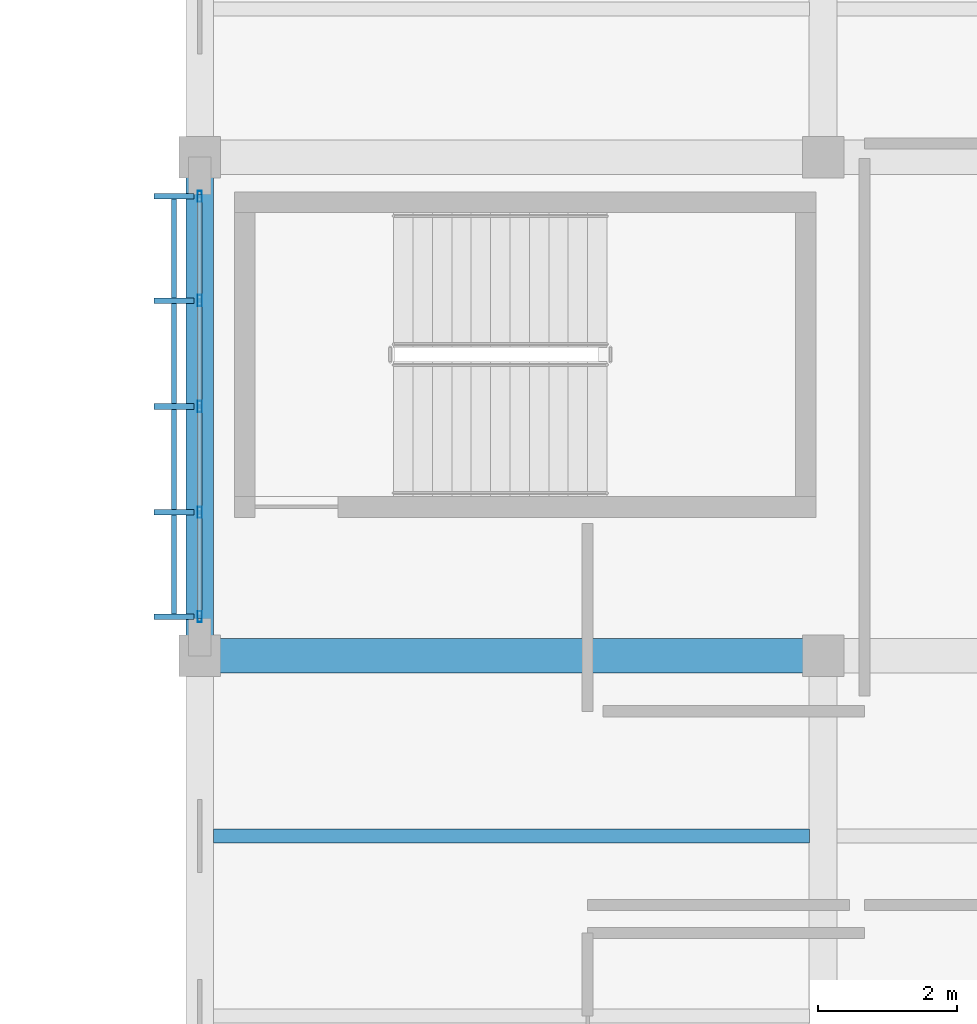
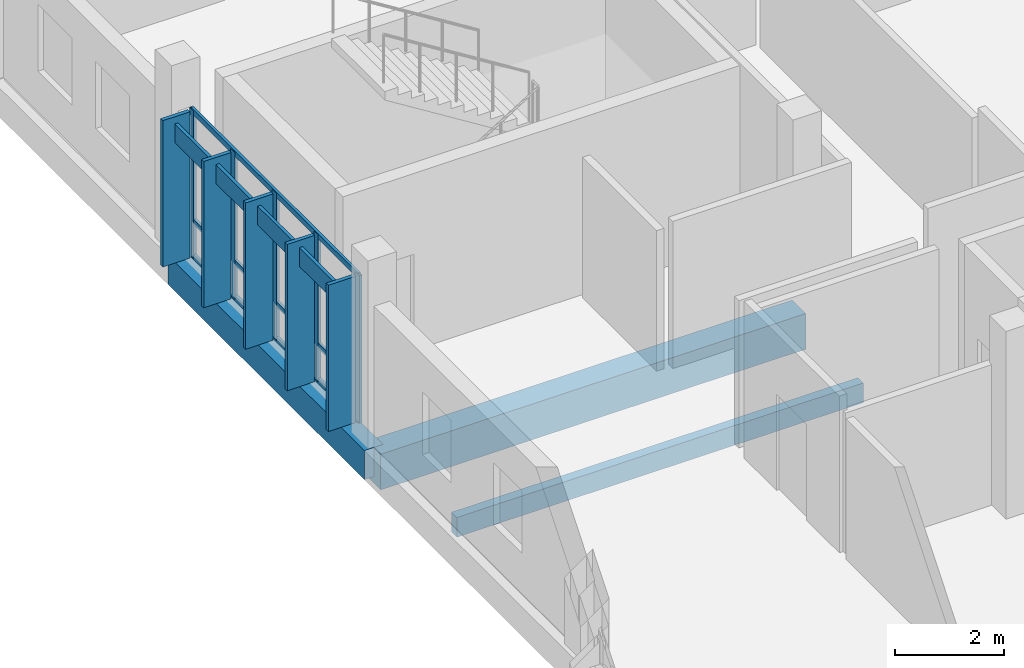
# One storey, part 55 of 107: 14 members, 3 beams, 1 element without a shape of its own.
"""IFC4 building model written with IfcOpenShell, lengths in metres."""

import ifcopenshell
import ifcopenshell.guid

model = None  # the IFC model being written
_history = None  # IfcOwnerHistory: only IFC2X3 demands one
_inside = {}  # id of a spatial element -> (the spatial element, [elements in it])
_under = {}  # id of a project, library or spatial element -> (it, [spatial elements below it])
_declared = {}  # id of a project -> (the project, [libraries it declares])
_typed = {}  # id of a type object -> (the type object, [elements of that type])
_made_of = {}  # id of a material, layer set ... -> (it, [elements and type objects made of it])


def new_model(schema):
    """Start an empty IFC model of exactly this schema.

    Asked for "IFC4X3", IfcOpenShell would pick the latest addendum, in which some entities
    have other attributes; the version numbers below select the first issue.
    IFC2X3 requires an IfcOwnerHistory on every rooted entity: one is made here for all.
    """
    global model, _history
    if schema == "IFC4X3":
        model = ifcopenshell.file(schema_version=(4, 3, 0, 0))
    else:
        model = ifcopenshell.file(schema=schema)
    _inside.clear()
    _under.clear()
    _declared.clear()
    _typed.clear()
    _made_of.clear()
    _history = None
    if model.schema == "IFC2X3":
        org = make("IfcOrganization", Name="unknown")
        user = make(
            "IfcPersonAndOrganization",
            ThePerson=make("IfcPerson", FamilyName="unknown"),
            TheOrganization=org,
        )
        app = make(
            "IfcApplication",
            ApplicationDeveloper=org,
            Version="unknown",
            ApplicationFullName="unknown",
            ApplicationIdentifier="unknown",
        )
        _history = make(
            "IfcOwnerHistory",
            OwningUser=user,
            OwningApplication=app,
            ChangeAction="ADDED",
            CreationDate=0,
        )
    return model


def make(cls, **values):
    """One entity of the class cls with the attributes given. An attribute that is None is left unset."""
    return model.create_entity(
        cls, **{name: value for name, value in values.items() if value is not None}
    )


def rooted(cls, **values):
    """An entity with a GlobalId (a new one), such as an element, a storey or a relation."""
    return make(cls, GlobalId=ifcopenshell.guid.new(), OwnerHistory=_history, **values)


def si_unit(unit_type, name, prefix=None):
    """IfcSIUnit, for example si_unit("LENGTHUNIT", "METRE", prefix="MILLI")."""
    return make("IfcSIUnit", UnitType=unit_type, Prefix=prefix, Name=name)


def assignment(units):
    """IfcUnitAssignment: the units of a project."""
    return None if units is None else make("IfcUnitAssignment", Units=units)


def point(xyz):
    """IfcCartesianPoint."""
    return None if xyz is None else make("IfcCartesianPoint", Coordinates=xyz)


def direction(xyz):
    """IfcDirection."""
    return None if xyz is None else make("IfcDirection", DirectionRatios=xyz)


def frame(location, z_axis=None, x_axis=None):
    """IfcAxis2Placement3D, a coordinate frame: its origin and axes. An axis left out is left unset."""
    return make(
        "IfcAxis2Placement3D",
        Location=point(location),
        Axis=direction(z_axis),
        RefDirection=direction(x_axis),
    )


def frame_2d(location, x_axis=None):
    """IfcAxis2Placement2D, a coordinate frame in the plane: its origin and x axis."""
    return make(
        "IfcAxis2Placement2D", Location=point(location), RefDirection=direction(x_axis)
    )


def origin():
    """The frame at (0, 0, 0) with its axes left unset."""
    return frame((0.0, 0.0, 0.0))


def origin_2d():
    """The frame at (0, 0) in the plane with its x axis left unset."""
    return frame_2d((0.0, 0.0))


def place(relative_to, where):
    """IfcLocalPlacement: puts the frame where relative to a parent placement (None: the world)."""
    return make(
        "IfcLocalPlacement", PlacementRelTo=relative_to, RelativePlacement=where
    )


def context(
    kind, dimensions, precision=None, world=None, true_north=None, identifier=None
):
    """IfcGeometricRepresentationContext, for example the 3D "Model" context."""
    return make(
        "IfcGeometricRepresentationContext",
        ContextIdentifier=identifier,
        ContextType=kind,
        CoordinateSpaceDimension=dimensions,
        Precision=precision,
        WorldCoordinateSystem=world,
        TrueNorth=true_north,
    )


def subcontext(parent, identifier, kind, view, scale=None):
    """IfcGeometricRepresentationSubContext, for example "Body" below "Model"."""
    return make(
        "IfcGeometricRepresentationSubContext",
        ContextIdentifier=identifier,
        ContextType=kind,
        ParentContext=parent,
        TargetScale=scale,
        TargetView=view,
    )


def project(units=None, contexts=None):
    """IfcProject with its units and contexts."""
    return rooted(
        "IfcProject",
        Name="project",
        RepresentationContexts=contexts,
        UnitsInContext=assignment(units),
    )


def spatial(cls, under=None, at=None, **own):
    """A site, building, storey or space (cls), placed at a placement, below another one or the project."""
    s = rooted(cls, ObjectPlacement=at, **own)
    if under is not None:
        _under.setdefault(under.id(), (under, []))[1].append(s)
    return s


def profile(cls, at=None, kind="AREA", **sizes):
    """A parametric profile (cls). Its sizes go by their IFC names, for example OverallWidth=200.0."""
    return make(cls, ProfileType=kind, Position=at, **sizes)


def rectangle(**sizes):
    """IfcRectangleProfileDef."""
    return profile("IfcRectangleProfileDef", **sizes)


def hollow_rectangle(**sizes):
    """IfcRectangleHollowProfileDef."""
    return profile("IfcRectangleHollowProfileDef", **sizes)


def extrude(swept, where, along, depth):
    """IfcExtrudedAreaSolid: the profile swept, set in the frame where, extruded along a direction by depth."""
    return make(
        "IfcExtrudedAreaSolid",
        SweptArea=swept,
        Position=where,
        ExtrudedDirection=direction(along),
        Depth=depth,
    )


def shape(context_of_items, identifier, shape_type, items):
    """IfcShapeRepresentation: the items that make up one representation, for example the "Body"."""
    return make(
        "IfcShapeRepresentation",
        ContextOfItems=context_of_items,
        RepresentationIdentifier=identifier,
        RepresentationType=shape_type,
        Items=items,
    )


def material(Name=None, Category=None):
    """IfcMaterial."""
    return make("IfcMaterial", Name=Name, Category=Category)


def material_profile(
    of_material, cross_section, Name=None, Category=None, Priority=None
):
    """IfcMaterialProfile: a cross section and its material."""
    return make(
        "IfcMaterialProfile",
        Name=Name,
        Material=of_material,
        Profile=cross_section,
        Priority=Priority,
        Category=Category,
    )


def profile_set(profiles, Name=None, composite=None):
    """IfcMaterialProfileSet."""
    return make(
        "IfcMaterialProfileSet",
        Name=Name,
        MaterialProfiles=profiles,
        CompositeProfile=composite,
    )


def made_of(thing, what):
    """Note that an element or type object is made of a material, layer set ...; save() writes the relation."""
    if what is not None:
        _made_of.setdefault(what.id(), (what, []))[1].append(thing)
    return thing


def type_object(cls, material=None, **own):
    """A type object (cls), such as IfcWallType, which elements share."""
    return made_of(rooted(cls, **own), material)


def element(
    cls,
    number,
    at=None,
    inside=None,
    cuts=None,
    type_object=None,
    material=None,
    context=None,
    identifier="Body",
    shape_type=None,
    held_by="IfcProductDefinitionShape",
    body=None,
    shapes=None,
    **own,
):
    """One element of the class cls, such as IfcWall. Its Tag is "e" and its number.

    at: its placement. inside: the storey or other place that contains it. cuts: it is an
    opening in that element (IfcRelVoidsElement). A single representation is given by context,
    identifier, shape_type and body (its items); several are given by shapes. held_by: the class
    of the entity that holds the representations. save() writes the other relations.
    """
    e = rooted(cls, Tag="e%d" % number, ObjectPlacement=at, **own)
    if body is not None:
        shapes = [shape(context, identifier, shape_type, body)]
    if shapes is not None:
        e.Representation = make(held_by, Representations=shapes)
    if inside is not None:
        _inside.setdefault(inside.id(), (inside, []))[1].append(e)
    if cuts is not None:
        rooted(
            "IfcRelVoidsElement", RelatingBuildingElement=cuts, RelatedOpeningElement=e
        )
    if type_object is not None:
        _typed.setdefault(type_object.id(), (type_object, []))[1].append(e)
    return made_of(e, material)


def aggregate(whole, parts):
    """IfcRelAggregates: a whole, such as a stair, and the parts it consists of."""
    return rooted("IfcRelAggregates", RelatingObject=whole, RelatedObjects=parts)


def save(model, path):
    """Write the relations noted so far, then the file.

    IfcRelAggregates (storeys below a building ...), IfcRelContainedInSpatialStructure (elements
    in a storey), IfcRelDefinesByType, IfcRelAssociatesMaterial and IfcRelDeclares: one each for
    every whole, place, type object, material and project.
    """
    for whole, parts in _under.values():
        aggregate(whole, parts)
    for where, things in _inside.values():
        rooted(
            "IfcRelContainedInSpatialStructure",
            RelatedElements=things,
            RelatingStructure=where,
        )
    for kind, things in _typed.values():
        rooted("IfcRelDefinesByType", RelatedObjects=things, RelatingType=kind)
    for what, things in _made_of.values():
        rooted("IfcRelAssociatesMaterial", RelatedObjects=things, RelatingMaterial=what)
    for by, libraries in _declared.values():
        rooted("IfcRelDeclares", RelatingContext=by, RelatedDefinitions=libraries)
    model.write(path)


model = new_model("IFC4")

# Units and contexts
model_context = context("Model", 3, precision=1e-05, world=origin(), true_north=direction((0.0, 1.0)))
body_context = subcontext(model_context, "Body", "Model", "MODEL_VIEW")
ifc_project = project(units=[si_unit("LENGTHUNIT", "METRE"), si_unit("AREAUNIT", "SQUARE_METRE"), si_unit("VOLUMEUNIT", "CUBIC_METRE"), si_unit("PLANEANGLEUNIT", "RADIAN"), si_unit("MASSUNIT", "GRAM", prefix="KILO")], contexts=[model_context])

# Site, building, storey
site_placement = place(None, origin())
site = spatial("IfcSite", under=ifc_project, at=site_placement, CompositionType="ELEMENT")
building_placement = place(site_placement, origin())
building = spatial("IfcBuilding", under=site, at=building_placement, Name="Chiffa Square Polytechnic", CompositionType="ELEMENT")
storey_placement = place(building_placement, frame((0.0, 0.0, 13.800048828125)))
storey = spatial("IfcBuildingStorey", under=building, at=storey_placement, Name="L03", CompositionType="ELEMENT", Elevation=13.800048828125)

# Beams
ifc_material_1 = material(Name="Concrete C35/45", Category="concrete")
ifc_material_profile_1 = material_profile(ifc_material_1, rectangle(XDim=0.39990234375, YDim=0.64990234375, at=origin_2d()), Name="RC 400x650")
ifc_profile_set_1 = profile_set([ifc_material_profile_1], Name="Concrete C35/45")
beam_type_1 = type_object("IfcBeamType", Name="BM-RC-400X650", PredefinedType="BEAM", material=ifc_profile_set_1)
beam_1_placement = place(storey_placement, frame((148.199951171875, 43.800048828125, -0.5849609375), z_axis=(0.0, 1.0, 0.0), x_axis=(-1.0, 0.0, 0.0)))
element("IfcBeam", 1, at=beam_1_placement, inside=storey, type_object=beam_type_1, Name="Primary floor girder BM-V1-L03-Y-1482-0438", PredefinedType="BEAM", context=body_context, shape_type="SweptSolid", body=[
    extrude(rectangle(XDim=0.39990234375, YDim=0.64990234375, at=origin_2d()), origin(), (0.0, 0.0, 1.0), 7.199951171875),
])
ifc_material_2 = material(Name="Concrete C40/50", Category="concrete")
ifc_material_profile_2 = material_profile(ifc_material_2, rectangle(XDim=0.5, YDim=0.800048828125, at=origin_2d()), Name="RC 500x800")
ifc_profile_set_2 = profile_set([ifc_material_profile_2], Name="Concrete C40/50")
beam_type_2 = type_object("IfcBeamType", Name="BM-RC-500X800", PredefinedType="BEAM", material=ifc_profile_set_2)
beam_2_placement = place(storey_placement, frame((148.199951171875, 43.800048828125, -0.66015625), z_axis=(1.0, 0.0, 0.0), x_axis=(0.0, 1.0, 0.0)))
element("IfcBeam", 2, at=beam_2_placement, inside=storey, type_object=beam_type_2, Name="Primary floor girder BM-V1-L03-X-1482-0438", PredefinedType="BEAM", context=body_context, shape_type="SweptSolid", body=[
    extrude(rectangle(XDim=0.5, YDim=0.800048828125, at=origin_2d()), origin(), (0.0, 0.0, 1.0), 9.0),
])

# Curtain wall, members
ifc_material_3 = material(Name="Aluminium EN AW-6060 T66 and glulam shading", Category="wood")
curtain_wall_type = type_object("IfcCurtainWallType", Name="CW-VERT-360X380", PredefinedType="USERDEFINED", material=ifc_material_3)
curtain_wall_placement = place(storey_placement, origin())
curtain_wall = element("IfcCurtainWall", 3, at=curtain_wall_placement, inside=storey, type_object=curtain_wall_type, Name="Curtain wall CW-V1-L03-133", ObjectType="CURTAIN WALL", PredefinedType="USERDEFINED")
ifc_material_4 = material(Name="Aluminium EN AW-6060 T66", Category="aluminium")
ifc_material_profile_3 = material_profile(ifc_material_4, hollow_rectangle(XDim=0.06005859375, YDim=0.159912109375, WallThickness=0.00390625, at=origin_2d()), Name="ALU 60x160x4")
ifc_profile_set_3 = profile_set([ifc_material_profile_3], Name="Aluminium EN AW-6060 T66")
member_type_1 = type_object("IfcMemberType", Name="CWM-ALU-65X150", PredefinedType="MULLION", material=ifc_profile_set_3)
member_1_placement = place(storey_placement, frame((148.199951171875, 50.43505859375, 0.0), z_axis=(0.0, 0.0, 1.0), x_axis=(1.0, 0.0, 0.0)))
member_1 = element("IfcMember", 4, at=member_1_placement, type_object=member_type_1, Name="Curtain wall mullion CW-V1-L03-133-M00", PredefinedType="MULLION", context=body_context, shape_type="SweptSolid", body=[
    extrude(hollow_rectangle(XDim=0.06005859375, YDim=0.159912109375, WallThickness=0.00390625, at=origin_2d()), origin(), (0.0, 0.0, 1.0), 3.294921875),
])
member_2_placement = place(storey_placement, frame((148.199951171875, 48.929931640625, 0.0), z_axis=(0.0, 0.0, 1.0), x_axis=(1.0, 0.0, 0.0)))
member_2 = element("IfcMember", 5, at=member_2_placement, type_object=member_type_1, Name="Curtain wall mullion CW-V1-L03-133-M01", PredefinedType="MULLION", context=body_context, shape_type="SweptSolid", body=[
    extrude(hollow_rectangle(XDim=0.06005859375, YDim=0.159912109375, WallThickness=0.00390625, at=origin_2d()), origin(), (0.0, 0.0, 1.0), 3.294921875),
])
member_3_placement = place(storey_placement, frame((148.199951171875, 47.39990234375, 0.0), z_axis=(0.0, 0.0, 1.0), x_axis=(1.0, 0.0, 0.0)))
member_3 = element("IfcMember", 6, at=member_3_placement, type_object=member_type_1, Name="Curtain wall mullion CW-V1-L03-133-M02", PredefinedType="MULLION", context=body_context, shape_type="SweptSolid", body=[
    extrude(hollow_rectangle(XDim=0.06005859375, YDim=0.159912109375, WallThickness=0.00390625, at=origin_2d()), origin(), (0.0, 0.0, 1.0), 3.294921875),
])
member_4_placement = place(storey_placement, frame((148.199951171875, 45.8701171875, 0.0), z_axis=(0.0, 0.0, 1.0), x_axis=(1.0, 0.0, 0.0)))
member_4 = element("IfcMember", 7, at=member_4_placement, type_object=member_type_1, Name="Curtain wall mullion CW-V1-L03-133-M03", PredefinedType="MULLION", context=body_context, shape_type="SweptSolid", body=[
    extrude(hollow_rectangle(XDim=0.06005859375, YDim=0.159912109375, WallThickness=0.00390625, at=origin_2d()), origin(), (0.0, 0.0, 1.0), 3.294921875),
])
member_5_placement = place(storey_placement, frame((148.199951171875, 44.364990234375, 0.0), z_axis=(0.0, 0.0, 1.0), x_axis=(1.0, 0.0, 0.0)))
member_5 = element("IfcMember", 8, at=member_5_placement, type_object=member_type_1, Name="Curtain wall mullion CW-V1-L03-133-M04", PredefinedType="MULLION", context=body_context, shape_type="SweptSolid", body=[
    extrude(hollow_rectangle(XDim=0.06005859375, YDim=0.159912109375, WallThickness=0.00390625, at=origin_2d()), origin(), (0.0, 0.0, 1.0), 3.294921875),
])
ifc_material_5 = material(Name="Glulam GL28h", Category="wood")
ifc_material_profile_4 = material_profile(ifc_material_5, rectangle(XDim=0.080078125, YDim=0.580078125, at=origin_2d()), Name="GL28h 80x580")
ifc_profile_set_4 = profile_set([ifc_material_profile_4], Name="Glulam GL28h")
member_type_2 = type_object("IfcMemberType", Name="CWM-GL-80X580", PredefinedType="MULLION", material=ifc_profile_set_4)
member_6_placement = place(storey_placement, frame((147.827880859375, 50.43505859375, 0.010009765625), z_axis=(0.0, 0.0, 1.0), x_axis=(0.0, -1.0, 0.0)))
member_6 = element("IfcMember", 9, at=member_6_placement, type_object=member_type_2, Name="Exterior glulam solar fin CW-V1-L03-133-FN00", PredefinedType="MULLION", context=body_context, shape_type="SweptSolid", body=[
    extrude(rectangle(XDim=0.080078125, YDim=0.580078125, at=origin_2d()), origin(), (0.0, 0.0, 1.0), 3.27490234375),
])
member_7_placement = place(storey_placement, frame((147.827880859375, 48.929931640625, 0.010009765625), z_axis=(0.0, 0.0, 1.0), x_axis=(0.0, -1.0, 0.0)))
member_7 = element("IfcMember", 10, at=member_7_placement, type_object=member_type_2, Name="Exterior glulam solar fin CW-V1-L03-133-FN01", PredefinedType="MULLION", context=body_context, shape_type="SweptSolid", body=[
    extrude(rectangle(XDim=0.080078125, YDim=0.580078125, at=origin_2d()), origin(), (0.0, 0.0, 1.0), 3.27490234375),
])
member_8_placement = place(storey_placement, frame((147.827880859375, 47.39990234375, 0.010009765625), z_axis=(0.0, 0.0, 1.0), x_axis=(0.0, -1.0, 0.0)))
member_8 = element("IfcMember", 11, at=member_8_placement, type_object=member_type_2, Name="Exterior glulam solar fin CW-V1-L03-133-FN02", PredefinedType="MULLION", context=body_context, shape_type="SweptSolid", body=[
    extrude(rectangle(XDim=0.080078125, YDim=0.580078125, at=origin_2d()), origin(), (0.0, 0.0, 1.0), 3.27490234375),
])
member_9_placement = place(storey_placement, frame((147.827880859375, 45.8701171875, 0.010009765625), z_axis=(0.0, 0.0, 1.0), x_axis=(0.0, -1.0, 0.0)))
member_9 = element("IfcMember", 12, at=member_9_placement, type_object=member_type_2, Name="Exterior glulam solar fin CW-V1-L03-133-FN03", PredefinedType="MULLION", context=body_context, shape_type="SweptSolid", body=[
    extrude(rectangle(XDim=0.080078125, YDim=0.580078125, at=origin_2d()), origin(), (0.0, 0.0, 1.0), 3.27490234375),
])
member_10_placement = place(storey_placement, frame((147.827880859375, 44.364990234375, 0.010009765625), z_axis=(0.0, 0.0, 1.0), x_axis=(0.0, -1.0, 0.0)))
member_10 = element("IfcMember", 13, at=member_10_placement, type_object=member_type_2, Name="Exterior glulam solar fin CW-V1-L03-133-FN04", PredefinedType="MULLION", context=body_context, shape_type="SweptSolid", body=[
    extrude(rectangle(XDim=0.080078125, YDim=0.580078125, at=origin_2d()), origin(), (0.0, 0.0, 1.0), 3.27490234375),
])
ifc_material_profile_5 = material_profile(ifc_material_4, hollow_rectangle(XDim=0.06005859375, YDim=0.1201171875, WallThickness=0.00390625, at=origin_2d()), Name="ALU 60x120x4")
ifc_profile_set_5 = profile_set([ifc_material_profile_5], Name="Aluminium EN AW-6060 T66")
member_type_3 = type_object("IfcMemberType", Name="CWT-ALU-65X120", PredefinedType="USERDEFINED", material=ifc_profile_set_5)
member_11_placement = place(storey_placement, frame((148.199951171875, 50.4619140625, 0.030029296875), z_axis=(0.0, -1.0, 0.0), x_axis=(1.0, 0.0, 0.0)))
member_11 = element("IfcMember", 14, at=member_11_placement, type_object=member_type_3, Name="Curtain wall transom CW-V1-L03-133-T01", ObjectType="TRANSOM", PredefinedType="USERDEFINED", context=body_context, shape_type="SweptSolid", body=[
    extrude(hollow_rectangle(XDim=0.06005859375, YDim=0.1201171875, WallThickness=0.00390625, at=origin_2d()), origin(), (0.0, 0.0, 1.0), 6.1240234375),
])
member_12_placement = place(storey_placement, frame((148.199951171875, 50.4619140625, 0.820068359375), z_axis=(0.0, -1.0, 0.0), x_axis=(1.0, 0.0, 0.0)))
member_12 = element("IfcMember", 15, at=member_12_placement, type_object=member_type_3, Name="Curtain wall transom CW-V1-L03-133-T02", ObjectType="TRANSOM", PredefinedType="USERDEFINED", context=body_context, shape_type="SweptSolid", body=[
    extrude(hollow_rectangle(XDim=0.06005859375, YDim=0.1201171875, WallThickness=0.00390625, at=origin_2d()), origin(), (0.0, 0.0, 1.0), 6.1240234375),
])
member_13_placement = place(storey_placement, frame((148.199951171875, 50.4619140625, 3.264892578125), z_axis=(0.0, -1.0, 0.0), x_axis=(1.0, 0.0, 0.0)))
member_13 = element("IfcMember", 16, at=member_13_placement, type_object=member_type_3, Name="Curtain wall transom CW-V1-L03-133-T03", ObjectType="TRANSOM", PredefinedType="USERDEFINED", context=body_context, shape_type="SweptSolid", body=[
    extrude(hollow_rectangle(XDim=0.06005859375, YDim=0.1201171875, WallThickness=0.00390625, at=origin_2d()), origin(), (0.0, 0.0, 1.0), 6.1240234375),
])
ifc_material_profile_6 = material_profile(ifc_material_5, rectangle(XDim=0.070068359375, YDim=0.419921875, at=origin_2d()), Name="GL28h 70x420")
ifc_profile_set_6 = profile_set([ifc_material_profile_6], Name="Glulam GL28h")
member_type_4 = type_object("IfcMemberType", Name="CWT-GL-70X420", PredefinedType="USERDEFINED", material=ifc_profile_set_6)
member_14_placement = place(storey_placement, frame((147.827880859375, 50.43505859375, 2.9150390625), z_axis=(0.0, -1.0, 0.0), x_axis=(1.0, 0.0, 0.0)))
member_14 = element("IfcMember", 17, at=member_14_placement, type_object=member_type_4, Name="Exterior glulam brise-soleil CW-V1-L03-133-BS01", ObjectType="TRANSOM", PredefinedType="USERDEFINED", context=body_context, shape_type="SweptSolid", body=[
    extrude(rectangle(XDim=0.070068359375, YDim=0.419921875, at=origin_2d()), origin(), (0.0, 0.0, 1.0), 6.070068359375),
])
aggregate(curtain_wall, [member_1, member_6, member_2, member_7, member_3, member_8, member_4, member_9, member_5, member_10, member_11, member_12, member_13, member_14])

# Beam
ifc_material_profile_7 = material_profile(ifc_material_5, rectangle(XDim=0.199951171875, YDim=0.43994140625, at=origin_2d()), Name="GL28h 200x440")
ifc_profile_set_7 = profile_set([ifc_material_profile_7], Name="Glulam GL28h")
beam_type_3 = type_object("IfcBeamType", Name="JST-GL-200X440", PredefinedType="JOIST", material=ifc_profile_set_7)
beam_3_placement = place(storey_placement, frame((148.39794921875, 41.199951171875, -0.47998046875), z_axis=(1.0, 0.0, 0.0), x_axis=(0.0, 1.0, 0.0)))
element("IfcBeam", 18, at=beam_3_placement, inside=storey, type_object=beam_type_3, Name="Secondary floor joist JST-V1-L03-1482-0412", PredefinedType="JOIST", context=body_context, shape_type="SweptSolid", body=[
    extrude(rectangle(XDim=0.199951171875, YDim=0.43994140625, at=origin_2d()), origin(), (0.0, 0.0, 1.0), 8.60400390625),
])

save(model, "model.ifc")
